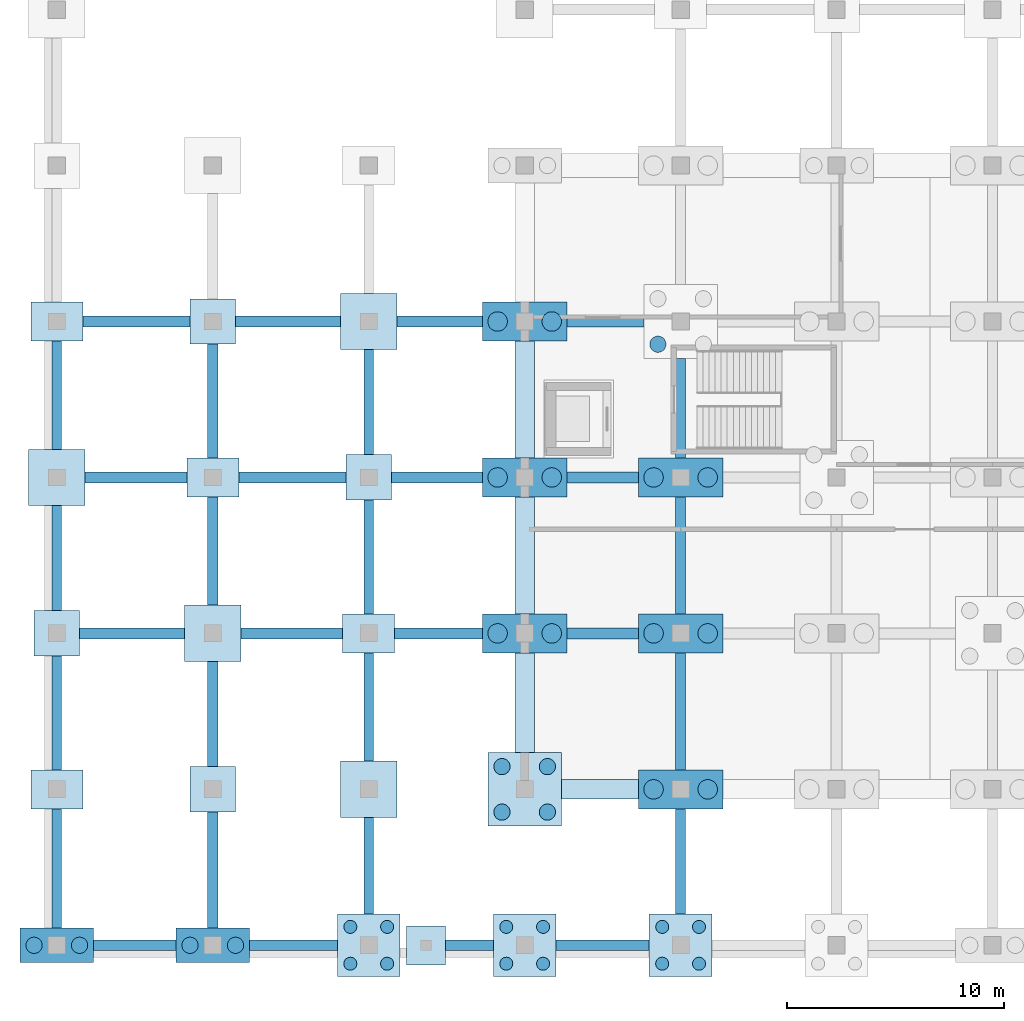
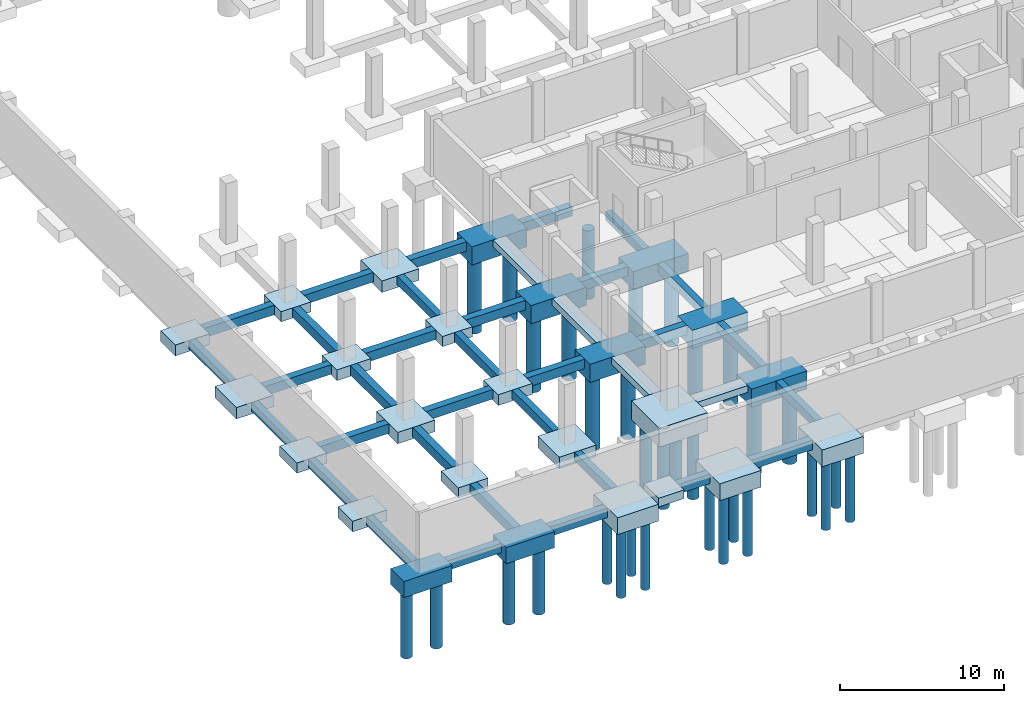
# One storey, part 1 of 22: 61 footings, 33 piles.
"""IFC4 building model written with IfcOpenShell, lengths in metres."""

from ifc_helpers import new_model, si_unit, direction, frame, origin, origin_2d, place, context, subcontext, project, spatial, polyline, rectangle, circle, outline, extrude, material, material_profile, profile_set, type_object, element, save


model = new_model("IFC4")

# Units and contexts
model_context = context("Model", 3, precision=1e-05, world=origin(), true_north=direction((0.0, 1.0)))
body_context = subcontext(model_context, "Body", "Model", "MODEL_VIEW")
ifc_project = project(units=[si_unit("LENGTHUNIT", "METRE"), si_unit("AREAUNIT", "SQUARE_METRE"), si_unit("VOLUMEUNIT", "CUBIC_METRE"), si_unit("PLANEANGLEUNIT", "RADIAN"), si_unit("MASSUNIT", "GRAM", prefix="KILO")], contexts=[model_context])

# Site, building, storey
site_placement = place(None, origin())
site = spatial("IfcSite", under=ifc_project, at=site_placement, CompositionType="ELEMENT")
building_placement = place(site_placement, origin())
building = spatial("IfcBuilding", under=site, at=building_placement, Name="Sardonyx Promenade Sports Hall", CompositionType="ELEMENT")
storey_placement = place(building_placement, frame((0.0, 0.0, -4.5)))
storey = spatial("IfcBuildingStorey", under=building, at=storey_placement, Name="B1", CompositionType="ELEMENT", Elevation=-4.5)

# Footings
ifc_material_1 = material(Name="Concrete C40/50", Category="concrete")
footing_type_1 = type_object("IfcFootingType", Name="Cap_2P_750", PredefinedType="PILE_CAP", material=ifc_material_1)
for number, where, z_axis, x_axis, name in (
    (1, (0.0, 0.0, -1.2001953125), (0.0, 0.0, 1.0), (1.0, 0.0, 0.0), "Pile cap PC02 at (0.00, 0.00)"),
    (2, (7.199951171875, 0.0, -1.2001953125), (0.0, 0.0, 1.0), (1.0, 0.0, 0.0), "Pile cap PC02 at (7.20, 0.00)"),
):
    element("IfcFooting", number, at=place(storey_placement, frame(where, z_axis=z_axis, x_axis=x_axis)), inside=storey, type_object=footing_type_1, Name=name, PredefinedType="PILE_CAP", context=body_context, shape_type="SweptSolid", body=[
        extrude(rectangle(XDim=3.39990234375, YDim=1.60009765625, at=origin_2d()), origin(), (0.0, 0.0, 1.0), 1.199951171875),
    ])
ifc_material_2 = material(Name="Concrete C40/50", Category="concrete")
footing_type_2 = type_object("IfcFootingType", Name="Cap_2P_900", PredefinedType="PILE_CAP", material=ifc_material_2)
for number, where, z_axis, x_axis, name in (
    (3, (21.60009765625, 14.39990234375, -1.35009765625), (0.0, 0.0, 1.0), (1.0, 0.0, 0.0), "Pile cap PC09 at (21.60, 14.40)"),
    (4, (21.60009765625, 21.60009765625, -1.35009765625), (0.0, 0.0, 1.0), (1.0, 0.0, 0.0), "Pile cap PC09 at (21.60, 21.60)"),
    (5, (21.60009765625, 28.800048828125, -1.35009765625), (0.0, 0.0, 1.0), (1.0, 0.0, 0.0), "Pile cap PC09 at (21.60, 28.80)"),
    (6, (28.800048828125, 7.199951171875, -1.35009765625), (0.0, 0.0, 1.0), (1.0, 0.0, 0.0), "Pile cap PC09 at (28.80, 7.20)"),
    (7, (28.800048828125, 14.39990234375, -1.35009765625), (0.0, 0.0, 1.0), (1.0, 0.0, 0.0), "Pile cap PC09 at (28.80, 14.40)"),
    (8, (28.800048828125, 21.60009765625, -1.35009765625), (0.0, 0.0, 1.0), (1.0, 0.0, 0.0), "Pile cap PC09 at (28.80, 21.60)"),
):
    element("IfcFooting", number, at=place(storey_placement, frame(where, z_axis=z_axis, x_axis=x_axis)), inside=storey, type_object=footing_type_2, Name=name, PredefinedType="PILE_CAP", context=body_context, shape_type="SweptSolid", body=[
        extrude(rectangle(XDim=3.89990234375, YDim=1.800048828125, at=origin_2d()), origin(), (0.0, 0.0, 1.0), 1.35009765625),
    ])
ifc_material_3 = material(Name="Concrete C40/50", Category="concrete")
footing_type_3 = type_object("IfcFootingType", Name="Cap_4P_600", PredefinedType="PILE_CAP", material=ifc_material_3)
for number, where, z_axis, x_axis, name in (
    (9, (14.39990234375, 0.0, -1.25), (0.0, 0.0, 1.0), (1.0, 0.0, 0.0), "Pile cap PC01 at (14.40, 0.00)"),
    (10, (21.60009765625, 0.0, -1.25), (0.0, 0.0, 1.0), (1.0, 0.0, 0.0), "Pile cap PC01 at (21.60, 0.00)"),
    (11, (28.800048828125, 0.0, -1.25), (0.0, 0.0, 1.0), (1.0, 0.0, 0.0), "Pile cap PC01 at (28.80, 0.00)"),
):
    element("IfcFooting", number, at=place(storey_placement, frame(where, z_axis=z_axis, x_axis=x_axis)), inside=storey, type_object=footing_type_3, Name=name, PredefinedType="PILE_CAP", context=body_context, shape_type="SweptSolid", body=[
        extrude(rectangle(XDim=2.89990234375, YDim=2.89990234375, at=origin_2d()), origin(), (0.0, 0.0, 1.0), 1.25),
    ])
ifc_material_4 = material(Name="Concrete C40/50", Category="concrete")
footing_type_4 = type_object("IfcFootingType", Name="Cap_4P_750", PredefinedType="PILE_CAP", material=ifc_material_4)
footing_1_placement = place(storey_placement, frame((21.60009765625, 7.199951171875, -1.39990234375), z_axis=(0.0, 0.0, 1.0), x_axis=(1.0, 0.0, 0.0)))
element("IfcFooting", 12, at=footing_1_placement, inside=storey, type_object=footing_type_4, Name="Pile cap PC04 at (21.60, 7.20)", PredefinedType="PILE_CAP", context=body_context, shape_type="SweptSolid", body=[
    extrude(rectangle(XDim=3.39990234375, YDim=3.39990234375, at=origin_2d()), origin(), (0.0, 0.0, 1.0), 1.39990234375),
])
ifc_material_5 = material(Name="Concrete C40/50", Category="concrete")
footing_type_5 = type_object("IfcFootingType", Name="Ftg_Beam_450x650", PredefinedType="FOOTING_BEAM", material=ifc_material_5)
footing_2_placement = place(storey_placement, frame((0.0, 0.0, -0.64990234375)))
element("IfcFooting", 13, at=footing_2_placement, inside=storey, type_object=footing_type_5, Name="Ground tie beam GB03 #220", PredefinedType="FOOTING_BEAM", context=body_context, shape_type="SweptSolid", body=[
    extrude(outline(polyline([(-0.22509765625, 0.800048828125), (0.22509765625, 0.800048828125), (0.22509765625, 6.300048828125), (-0.22509765625, 6.300048828125), (-0.22509765625, 0.800048828125)])), origin(), (0.0, 0.0, 1.0), 0.64990234375),
])
footing_3_placement = place(storey_placement, frame((0.0, 0.0, -0.64990234375)))
element("IfcFooting", 14, at=footing_3_placement, inside=storey, type_object=footing_type_5, Name="Ground tie beam GB03 #221", PredefinedType="FOOTING_BEAM", context=body_context, shape_type="SweptSolid", body=[
    extrude(outline(polyline([(-0.22509765625, 8.10009765625), (0.22509765625, 8.10009765625), (0.22509765625, 13.35009765625), (-0.22509765625, 13.35009765625), (-0.22509765625, 8.10009765625)])), origin(), (0.0, 0.0, 1.0), 0.64990234375),
])
footing_4_placement = place(storey_placement, frame((0.0, 0.0, -0.64990234375)))
element("IfcFooting", 15, at=footing_4_placement, inside=storey, type_object=footing_type_5, Name="Ground tie beam GB03 #222", PredefinedType="FOOTING_BEAM", context=body_context, shape_type="SweptSolid", body=[
    extrude(outline(polyline([(-0.22509765625, 15.449951171875), (0.22509765625, 15.449951171875), (0.22509765625, 20.300048828125), (-0.22509765625, 20.300048828125), (-0.22509765625, 15.449951171875)])), origin(), (0.0, 0.0, 1.0), 0.64990234375),
])
footing_5_placement = place(storey_placement, frame((0.0, 0.0, -0.64990234375)))
element("IfcFooting", 16, at=footing_5_placement, inside=storey, type_object=footing_type_5, Name="Ground tie beam GB03 #223", PredefinedType="FOOTING_BEAM", context=body_context, shape_type="SweptSolid", body=[
    extrude(outline(polyline([(-0.22509765625, 22.89990234375), (0.22509765625, 22.89990234375), (0.22509765625, 27.89990234375), (-0.22509765625, 27.89990234375), (-0.22509765625, 22.89990234375)])), origin(), (0.0, 0.0, 1.0), 0.64990234375),
])
footing_6_placement = place(storey_placement, frame((0.0, 0.0, -0.64990234375)))
element("IfcFooting", 17, at=footing_6_placement, inside=storey, type_object=footing_type_5, Name="Ground tie beam GB03 #242", PredefinedType="FOOTING_BEAM", context=body_context, shape_type="SweptSolid", body=[
    extrude(outline(polyline([(14.175048828125, 1.449951171875), (14.625, 1.449951171875), (14.625, 5.89990234375), (14.175048828125, 5.89990234375), (14.175048828125, 1.449951171875)])), origin(), (0.0, 0.0, 1.0), 0.64990234375),
])
footing_7_placement = place(storey_placement, frame((0.0, 0.0, -0.64990234375)))
element("IfcFooting", 18, at=footing_7_placement, inside=storey, type_object=footing_type_5, Name="Ground tie beam GB03 #243", PredefinedType="FOOTING_BEAM", context=body_context, shape_type="SweptSolid", body=[
    extrude(outline(polyline([(14.175048828125, 8.5), (14.625, 8.5), (14.625, 13.5), (14.175048828125, 13.5), (14.175048828125, 8.5)])), origin(), (0.0, 0.0, 1.0), 0.64990234375),
])
footing_8_placement = place(storey_placement, frame((0.0, 0.0, -0.64990234375)))
element("IfcFooting", 19, at=footing_8_placement, inside=storey, type_object=footing_type_5, Name="Ground tie beam GB03 #244", PredefinedType="FOOTING_BEAM", context=body_context, shape_type="SweptSolid", body=[
    extrude(outline(polyline([(14.175048828125, 15.300048828125), (14.625, 15.300048828125), (14.625, 20.550048828125), (14.175048828125, 20.550048828125), (14.175048828125, 15.300048828125)])), origin(), (0.0, 0.0, 1.0), 0.64990234375),
])
footing_9_placement = place(storey_placement, frame((0.0, 0.0, -0.64990234375)))
element("IfcFooting", 20, at=footing_9_placement, inside=storey, type_object=footing_type_5, Name="Ground tie beam GB03 #245", PredefinedType="FOOTING_BEAM", context=body_context, shape_type="SweptSolid", body=[
    extrude(outline(polyline([(14.175048828125, 22.64990234375), (14.625, 22.64990234375), (14.625, 27.5), (14.175048828125, 27.5), (14.175048828125, 22.64990234375)])), origin(), (0.0, 0.0, 1.0), 0.64990234375),
])
footing_10_placement = place(storey_placement, frame((0.0, 0.0, -0.64990234375)))
element("IfcFooting", 21, at=footing_10_placement, inside=storey, type_object=footing_type_5, Name="Ground tie beam GB03 #251", PredefinedType="FOOTING_BEAM", context=body_context, shape_type="SweptSolid", body=[
    extrude(outline(polyline([(28.574951171875, 1.449951171875), (29.02490234375, 1.449951171875), (29.02490234375, 6.300048828125), (28.574951171875, 6.300048828125), (28.574951171875, 1.449951171875)])), origin(), (0.0, 0.0, 1.0), 0.64990234375),
])
footing_11_placement = place(storey_placement, frame((0.0, 0.0, -0.64990234375)))
element("IfcFooting", 22, at=footing_11_placement, inside=storey, type_object=footing_type_5, Name="Ground tie beam GB03 #252", PredefinedType="FOOTING_BEAM", context=body_context, shape_type="SweptSolid", body=[
    extrude(outline(polyline([(28.574951171875, 8.10009765625), (29.02490234375, 8.10009765625), (29.02490234375, 13.5), (28.574951171875, 13.5), (28.574951171875, 8.10009765625)])), origin(), (0.0, 0.0, 1.0), 0.64990234375),
])
footing_12_placement = place(storey_placement, frame((0.0, 0.0, -0.64990234375)))
element("IfcFooting", 23, at=footing_12_placement, inside=storey, type_object=footing_type_5, Name="Ground tie beam GB03 #253", PredefinedType="FOOTING_BEAM", context=body_context, shape_type="SweptSolid", body=[
    extrude(outline(polyline([(28.574951171875, 15.300048828125), (29.02490234375, 15.300048828125), (29.02490234375, 20.699951171875), (28.574951171875, 20.699951171875), (28.574951171875, 15.300048828125)])), origin(), (0.0, 0.0, 1.0), 0.64990234375),
])
footing_13_placement = place(storey_placement, frame((0.0, 0.0, -0.64990234375)))
element("IfcFooting", 24, at=footing_13_placement, inside=storey, type_object=footing_type_5, Name="Ground tie beam GB03 #254", PredefinedType="FOOTING_BEAM", context=body_context, shape_type="SweptSolid", body=[
    extrude(outline(polyline([(28.574951171875, 22.5), (29.02490234375, 22.5), (29.02490234375, 27.10009765625), (28.574951171875, 27.10009765625), (28.574951171875, 22.5)])), origin(), (0.0, 0.0, 1.0), 0.64990234375),
])
ifc_material_6 = material(Name="Concrete C40/50", Category="concrete")
footing_type_6 = type_object("IfcFootingType", Name="Ftg_Beam_500x700", PredefinedType="FOOTING_BEAM", material=ifc_material_6)
footing_14_placement = place(storey_placement, frame((0.0, 0.0, -0.699951171875)))
element("IfcFooting", 25, at=footing_14_placement, inside=storey, type_object=footing_type_6, Name="Ground tie beam GB01 #1", PredefinedType="FOOTING_BEAM", context=body_context, shape_type="SweptSolid", body=[
    extrude(outline(polyline([(1.699951171875, -0.25), (5.5, -0.25), (5.5, 0.25), (1.699951171875, 0.25), (1.699951171875, -0.25)])), origin(), (0.0, 0.0, 1.0), 0.699951171875),
])
footing_15_placement = place(storey_placement, frame((0.0, 0.0, -0.699951171875)))
element("IfcFooting", 26, at=footing_15_placement, inside=storey, type_object=footing_type_6, Name="Ground tie beam GB01 #2", PredefinedType="FOOTING_BEAM", context=body_context, shape_type="SweptSolid", body=[
    extrude(outline(polyline([(8.89990234375, -0.25), (12.949951171875, -0.25), (12.949951171875, 0.25), (8.89990234375, 0.25), (8.89990234375, -0.25)])), origin(), (0.0, 0.0, 1.0), 0.699951171875),
])
footing_16_placement = place(storey_placement, frame((0.0, 0.0, -0.699951171875)))
element("IfcFooting", 27, at=footing_16_placement, inside=storey, type_object=footing_type_6, Name="Ground tie beam GB01 #3", PredefinedType="FOOTING_BEAM", context=body_context, shape_type="SweptSolid", body=[
    extrude(outline(polyline([(17.949951171875, -0.25), (20.14990234375, -0.25), (20.14990234375, 0.25), (17.949951171875, 0.25), (17.949951171875, -0.25)])), origin(), (0.0, 0.0, 1.0), 0.699951171875),
])
footing_17_placement = place(storey_placement, frame((0.0, 0.0, -0.699951171875)))
element("IfcFooting", 28, at=footing_17_placement, inside=storey, type_object=footing_type_6, Name="Ground tie beam GB01 #4", PredefinedType="FOOTING_BEAM", context=body_context, shape_type="SweptSolid", body=[
    extrude(outline(polyline([(23.050048828125, -0.25), (27.35009765625, -0.25), (27.35009765625, 0.25), (23.050048828125, 0.25), (23.050048828125, -0.25)])), origin(), (0.0, 0.0, 1.0), 0.699951171875),
])
footing_18_placement = place(storey_placement, frame((0.0, 0.0, -0.699951171875)))
element("IfcFooting", 29, at=footing_18_placement, inside=storey, type_object=footing_type_6, Name="Ground tie beam GB01 #24", PredefinedType="FOOTING_BEAM", context=body_context, shape_type="SweptSolid", body=[
    extrude(outline(polyline([(1.050048828125, 14.14990234375), (5.89990234375, 14.14990234375), (5.89990234375, 14.64990234375), (1.050048828125, 14.64990234375), (1.050048828125, 14.14990234375)])), origin(), (0.0, 0.0, 1.0), 0.699951171875),
])
footing_19_placement = place(storey_placement, frame((0.0, 0.0, -0.699951171875)))
element("IfcFooting", 30, at=footing_19_placement, inside=storey, type_object=footing_type_6, Name="Ground tie beam GB01 #25", PredefinedType="FOOTING_BEAM", context=body_context, shape_type="SweptSolid", body=[
    extrude(outline(polyline([(8.5, 14.14990234375), (13.199951171875, 14.14990234375), (13.199951171875, 14.64990234375), (8.5, 14.64990234375), (8.5, 14.14990234375)])), origin(), (0.0, 0.0, 1.0), 0.699951171875),
])
footing_20_placement = place(storey_placement, frame((0.0, 0.0, -0.699951171875)))
element("IfcFooting", 31, at=footing_20_placement, inside=storey, type_object=footing_type_6, Name="Ground tie beam GB01 #26", PredefinedType="FOOTING_BEAM", context=body_context, shape_type="SweptSolid", body=[
    extrude(outline(polyline([(15.60009765625, 14.14990234375), (19.64990234375, 14.14990234375), (19.64990234375, 14.64990234375), (15.60009765625, 14.64990234375), (15.60009765625, 14.14990234375)])), origin(), (0.0, 0.0, 1.0), 0.699951171875),
])
footing_21_placement = place(storey_placement, frame((0.0, 0.0, -0.699951171875)))
element("IfcFooting", 32, at=footing_21_placement, inside=storey, type_object=footing_type_6, Name="Ground tie beam GB01 #27", PredefinedType="FOOTING_BEAM", context=body_context, shape_type="SweptSolid", body=[
    extrude(outline(polyline([(23.550048828125, 14.14990234375), (26.85009765625, 14.14990234375), (26.85009765625, 14.64990234375), (23.550048828125, 14.64990234375), (23.550048828125, 14.14990234375)])), origin(), (0.0, 0.0, 1.0), 0.699951171875),
])
footing_22_placement = place(storey_placement, frame((0.0, 0.0, -0.699951171875)))
element("IfcFooting", 33, at=footing_22_placement, inside=storey, type_object=footing_type_6, Name="Ground tie beam GB01 #47", PredefinedType="FOOTING_BEAM", context=body_context, shape_type="SweptSolid", body=[
    extrude(outline(polyline([(1.300048828125, 21.35009765625), (6.0, 21.35009765625), (6.0, 21.85009765625), (1.300048828125, 21.85009765625), (1.300048828125, 21.35009765625)])), origin(), (0.0, 0.0, 1.0), 0.699951171875),
])
footing_23_placement = place(storey_placement, frame((0.0, 0.0, -0.699951171875)))
element("IfcFooting", 34, at=footing_23_placement, inside=storey, type_object=footing_type_6, Name="Ground tie beam GB01 #48", PredefinedType="FOOTING_BEAM", context=body_context, shape_type="SweptSolid", body=[
    extrude(outline(polyline([(8.39990234375, 21.35009765625), (13.35009765625, 21.35009765625), (13.35009765625, 21.85009765625), (8.39990234375, 21.85009765625), (8.39990234375, 21.35009765625)])), origin(), (0.0, 0.0, 1.0), 0.699951171875),
])
footing_24_placement = place(storey_placement, frame((0.0, 0.0, -0.699951171875)))
element("IfcFooting", 35, at=footing_24_placement, inside=storey, type_object=footing_type_6, Name="Ground tie beam GB01 #49", PredefinedType="FOOTING_BEAM", context=body_context, shape_type="SweptSolid", body=[
    extrude(outline(polyline([(15.449951171875, 21.35009765625), (19.64990234375, 21.35009765625), (19.64990234375, 21.85009765625), (15.449951171875, 21.85009765625), (15.449951171875, 21.35009765625)])), origin(), (0.0, 0.0, 1.0), 0.699951171875),
])
footing_25_placement = place(storey_placement, frame((0.0, 0.0, -0.699951171875)))
element("IfcFooting", 36, at=footing_25_placement, inside=storey, type_object=footing_type_6, Name="Ground tie beam GB01 #50", PredefinedType="FOOTING_BEAM", context=body_context, shape_type="SweptSolid", body=[
    extrude(outline(polyline([(23.550048828125, 21.35009765625), (26.85009765625, 21.35009765625), (26.85009765625, 21.85009765625), (23.550048828125, 21.85009765625), (23.550048828125, 21.35009765625)])), origin(), (0.0, 0.0, 1.0), 0.699951171875),
])
footing_26_placement = place(storey_placement, frame((0.0, 0.0, -0.699951171875)))
element("IfcFooting", 37, at=footing_26_placement, inside=storey, type_object=footing_type_6, Name="Ground tie beam GB01 #70", PredefinedType="FOOTING_BEAM", context=body_context, shape_type="SweptSolid", body=[
    extrude(outline(polyline([(1.199951171875, 28.550048828125), (6.14990234375, 28.550048828125), (6.14990234375, 29.050048828125), (1.199951171875, 29.050048828125), (1.199951171875, 28.550048828125)])), origin(), (0.0, 0.0, 1.0), 0.699951171875),
])
footing_27_placement = place(storey_placement, frame((0.0, 0.0, -0.699951171875)))
element("IfcFooting", 38, at=footing_27_placement, inside=storey, type_object=footing_type_6, Name="Ground tie beam GB01 #71", PredefinedType="FOOTING_BEAM", context=body_context, shape_type="SweptSolid", body=[
    extrude(outline(polyline([(8.25, 28.550048828125), (13.10009765625, 28.550048828125), (13.10009765625, 29.050048828125), (8.25, 29.050048828125), (8.25, 28.550048828125)])), origin(), (0.0, 0.0, 1.0), 0.699951171875),
])
footing_28_placement = place(storey_placement, frame((0.0, 0.0, -0.699951171875)))
element("IfcFooting", 39, at=footing_28_placement, inside=storey, type_object=footing_type_6, Name="Ground tie beam GB01 #72", PredefinedType="FOOTING_BEAM", context=body_context, shape_type="SweptSolid", body=[
    extrude(outline(polyline([(15.699951171875, 28.550048828125), (19.64990234375, 28.550048828125), (19.64990234375, 29.050048828125), (15.699951171875, 29.050048828125), (15.699951171875, 28.550048828125)])), origin(), (0.0, 0.0, 1.0), 0.699951171875),
])
footing_29_placement = place(storey_placement, frame((0.0, 0.0, -0.699951171875)))
element("IfcFooting", 40, at=footing_29_placement, inside=storey, type_object=footing_type_6, Name="Ground tie beam GB01 #73", PredefinedType="FOOTING_BEAM", context=body_context, shape_type="SweptSolid", body=[
    extrude(outline(polyline([(23.550048828125, 28.550048828125), (27.10009765625, 28.550048828125), (27.10009765625, 29.050048828125), (23.550048828125, 29.050048828125), (23.550048828125, 28.550048828125)])), origin(), (0.0, 0.0, 1.0), 0.699951171875),
])
footing_30_placement = place(storey_placement, frame((0.0, 0.0, -0.699951171875)))
element("IfcFooting", 41, at=footing_30_placement, inside=storey, type_object=footing_type_6, Name="Ground tie beam GB01 #233", PredefinedType="FOOTING_BEAM", context=body_context, shape_type="SweptSolid", body=[
    extrude(outline(polyline([(6.949951171875, 0.800048828125), (7.449951171875, 0.800048828125), (7.449951171875, 6.14990234375), (6.949951171875, 6.14990234375), (6.949951171875, 0.800048828125)])), origin(), (0.0, 0.0, 1.0), 0.699951171875),
])
footing_31_placement = place(storey_placement, frame((0.0, 0.0, -0.699951171875)))
element("IfcFooting", 42, at=footing_31_placement, inside=storey, type_object=footing_type_6, Name="Ground tie beam GB01 #234", PredefinedType="FOOTING_BEAM", context=body_context, shape_type="SweptSolid", body=[
    extrude(outline(polyline([(6.949951171875, 8.25), (7.449951171875, 8.25), (7.449951171875, 13.10009765625), (6.949951171875, 13.10009765625), (6.949951171875, 8.25)])), origin(), (0.0, 0.0, 1.0), 0.699951171875),
])
footing_32_placement = place(storey_placement, frame((0.0, 0.0, -0.699951171875)))
element("IfcFooting", 43, at=footing_32_placement, inside=storey, type_object=footing_type_6, Name="Ground tie beam GB01 #235", PredefinedType="FOOTING_BEAM", context=body_context, shape_type="SweptSolid", body=[
    extrude(outline(polyline([(6.949951171875, 15.699951171875), (7.449951171875, 15.699951171875), (7.449951171875, 20.699951171875), (6.949951171875, 20.699951171875), (6.949951171875, 15.699951171875)])), origin(), (0.0, 0.0, 1.0), 0.699951171875),
])
footing_33_placement = place(storey_placement, frame((0.0, 0.0, -0.699951171875)))
element("IfcFooting", 44, at=footing_33_placement, inside=storey, type_object=footing_type_6, Name="Ground tie beam GB01 #236", PredefinedType="FOOTING_BEAM", context=body_context, shape_type="SweptSolid", body=[
    extrude(outline(polyline([(6.949951171875, 22.5), (7.449951171875, 22.5), (7.449951171875, 27.75), (6.949951171875, 27.75), (6.949951171875, 22.5)])), origin(), (0.0, 0.0, 1.0), 0.699951171875),
])
ifc_material_7 = material(Name="Concrete C40/50", Category="concrete")
footing_type_7 = type_object("IfcFootingType", Name="Ftg_Pad_1800", PredefinedType="PAD_FOOTING", material=ifc_material_7)
footing_34_placement = place(storey_placement, frame((17.050048828125, 0.0, -0.64990234375), z_axis=(0.0, 0.0, 1.0), x_axis=(1.0, 0.0, 0.0)))
element("IfcFooting", 45, at=footing_34_placement, inside=storey, type_object=footing_type_7, Name="Pilaster pad footing #1", PredefinedType="PAD_FOOTING", context=body_context, shape_type="SweptSolid", body=[
    extrude(rectangle(XDim=1.800048828125, YDim=1.800048828125, at=origin_2d()), origin(), (0.0, 0.0, 1.0), 0.64990234375),
])
ifc_material_8 = material(Name="Concrete C40/50", Category="concrete")
footing_type_8 = type_object("IfcFootingType", Name="Ftg_Pad_2100", PredefinedType="PAD_FOOTING", material=ifc_material_8)
for number, where, z_axis, x_axis, name in (
    (46, (0.0, 14.39990234375, -0.75), (0.0, 0.0, 1.0), (1.0, 0.0, 0.0), "Rock-bearing pad footing PF02 at (0.00, 14.40)"),
    (47, (7.199951171875, 7.199951171875, -0.75), (0.0, 0.0, 1.0), (1.0, 0.0, 0.0), "Rock-bearing pad footing PF02 at (7.20, 7.20)"),
    (48, (7.199951171875, 28.800048828125, -0.75), (0.0, 0.0, 1.0), (1.0, 0.0, 0.0), "Rock-bearing pad footing PF02 at (7.20, 28.80)"),
    (49, (14.39990234375, 21.60009765625, -0.75), (0.0, 0.0, 1.0), (1.0, 0.0, 0.0), "Rock-bearing pad footing PF02 at (14.40, 21.60)"),
):
    element("IfcFooting", number, at=place(storey_placement, frame(where, z_axis=z_axis, x_axis=x_axis)), inside=storey, type_object=footing_type_8, Name=name, PredefinedType="PAD_FOOTING", context=body_context, shape_type="SweptSolid", body=[
        extrude(rectangle(XDim=2.10009765625, YDim=2.10009765625, at=origin_2d()), origin(), (0.0, 0.0, 1.0), 0.75),
    ])
ifc_material_9 = material(Name="Concrete C40/50", Category="concrete")
footing_type_9 = type_object("IfcFootingType", Name="Ftg_Pad_2400x1800", PredefinedType="PAD_FOOTING", material=ifc_material_9)
for number, where, z_axis, x_axis, name in (
    (50, (0.0, 7.199951171875, -0.7998046875), (0.0, 0.0, 1.0), (1.0, 0.0, 0.0), "Rock-bearing pad footing PF03 at (0.00, 7.20)"),
    (51, (0.0, 28.800048828125, -0.7998046875), (0.0, 0.0, 1.0), (1.0, 0.0, 0.0), "Rock-bearing pad footing PF03 at (0.00, 28.80)"),
    (52, (7.199951171875, 21.60009765625, -0.7998046875), (0.0, 0.0, 1.0), (1.0, 0.0, 0.0), "Rock-bearing pad footing PF03 at (7.20, 21.60)"),
    (53, (14.39990234375, 14.39990234375, -0.7998046875), (0.0, 0.0, 1.0), (1.0, 0.0, 0.0), "Rock-bearing pad footing PF03 at (14.40, 14.40)"),
):
    element("IfcFooting", number, at=place(storey_placement, frame(where, z_axis=z_axis, x_axis=x_axis)), inside=storey, type_object=footing_type_9, Name=name, PredefinedType="PAD_FOOTING", context=body_context, shape_type="SweptSolid", body=[
        extrude(rectangle(XDim=2.39990234375, YDim=1.800048828125, at=origin_2d()), origin(), (0.0, 0.0, 1.0), 0.800048828125),
    ])
ifc_material_10 = material(Name="Concrete C40/50", Category="concrete")
footing_type_10 = type_object("IfcFootingType", Name="Ftg_Pad_2600", PredefinedType="PAD_FOOTING", material=ifc_material_10)
for number, where, z_axis, x_axis, name in (
    (54, (0.0, 21.60009765625, -0.85009765625), (0.0, 0.0, 1.0), (1.0, 0.0, 0.0), "Rock-bearing pad footing PF04 at (0.00, 21.60)"),
    (55, (7.199951171875, 14.39990234375, -0.85009765625), (0.0, 0.0, 1.0), (1.0, 0.0, 0.0), "Rock-bearing pad footing PF04 at (7.20, 14.40)"),
    (56, (14.39990234375, 7.199951171875, -0.85009765625), (0.0, 0.0, 1.0), (1.0, 0.0, 0.0), "Rock-bearing pad footing PF04 at (14.40, 7.20)"),
    (57, (14.39990234375, 28.800048828125, -0.85009765625), (0.0, 0.0, 1.0), (1.0, 0.0, 0.0), "Rock-bearing pad footing PF04 at (14.40, 28.80)"),
):
    element("IfcFooting", number, at=place(storey_placement, frame(where, z_axis=z_axis, x_axis=x_axis)), inside=storey, type_object=footing_type_10, Name=name, PredefinedType="PAD_FOOTING", context=body_context, shape_type="SweptSolid", body=[
        extrude(rectangle(XDim=2.60009765625, YDim=2.60009765625, at=origin_2d()), origin(), (0.0, 0.0, 1.0), 0.85009765625),
    ])
ifc_material_11 = material(Name="Concrete C40/50", Category="concrete")
footing_type_11 = type_object("IfcFootingType", Name="Ftg_Strip_900x500", PredefinedType="STRIP_FOOTING", material=ifc_material_11)
footing_35_placement = place(storey_placement, frame((0.0, 0.0, -0.5)))
element("IfcFooting", 58, at=footing_35_placement, inside=storey, type_object=footing_type_11, Name="Basement wall strip footing SF01 #1", PredefinedType="STRIP_FOOTING", context=body_context, shape_type="SweptSolid", body=[
    extrude(outline(polyline([(23.300048828125, 6.75), (26.85009765625, 6.75), (26.85009765625, 7.64990234375), (23.300048828125, 7.64990234375), (23.300048828125, 6.75)])), origin(), (0.0, 0.0, 1.0), 0.5),
])
footing_36_placement = place(storey_placement, frame((0.0, 0.0, -0.5)))
element("IfcFooting", 59, at=footing_36_placement, inside=storey, type_object=footing_type_11, Name="Basement wall strip footing SF01 #27", PredefinedType="STRIP_FOOTING", context=body_context, shape_type="SweptSolid", body=[
    extrude(outline(polyline([(21.14990234375, 8.89990234375), (22.050048828125, 8.89990234375), (22.050048828125, 13.5), (21.14990234375, 13.5), (21.14990234375, 8.89990234375)])), origin(), (0.0, 0.0, 1.0), 0.5),
])
footing_37_placement = place(storey_placement, frame((0.0, 0.0, -0.5)))
element("IfcFooting", 60, at=footing_37_placement, inside=storey, type_object=footing_type_11, Name="Basement wall strip footing SF01 #28", PredefinedType="STRIP_FOOTING", context=body_context, shape_type="SweptSolid", body=[
    extrude(outline(polyline([(21.14990234375, 15.300048828125), (22.050048828125, 15.300048828125), (22.050048828125, 20.699951171875), (21.14990234375, 20.699951171875), (21.14990234375, 15.300048828125)])), origin(), (0.0, 0.0, 1.0), 0.5),
])
footing_38_placement = place(storey_placement, frame((0.0, 0.0, -0.5)))
element("IfcFooting", 61, at=footing_38_placement, inside=storey, type_object=footing_type_11, Name="Basement wall strip footing SF01 #29", PredefinedType="STRIP_FOOTING", context=body_context, shape_type="SweptSolid", body=[
    extrude(outline(polyline([(21.14990234375, 22.5), (22.050048828125, 22.5), (22.050048828125, 27.89990234375), (21.14990234375, 27.89990234375), (21.14990234375, 22.5)])), origin(), (0.0, 0.0, 1.0), 0.5),
])

# Piles
ifc_material_12 = material(Name="Concrete C40/50", Category="concrete")
ifc_material_profile_1 = material_profile(ifc_material_12, circle(Radius=0.300048828125, at=origin_2d()))
ifc_profile_set_1 = profile_set([ifc_material_profile_1], Name="Concrete C40/50")
pile_type_1 = type_object("IfcPileType", Name="Pile_BP600", PredefinedType="BORED", material=ifc_profile_set_1)
for number, where, z_axis, x_axis, name in (
    (62, (13.550048828125, -0.85009765625, -1.14990234375), (0.0, 0.0, -1.0), (1.0, 0.0, 0.0), "Bored pile BP04 #1 under ftg:cap:14.400_0.000"),
    (63, (15.25, -0.85009765625, -1.14990234375), (0.0, 0.0, -1.0), (1.0, 0.0, 0.0), "Bored pile BP04 #2 under ftg:cap:14.400_0.000"),
    (64, (13.550048828125, 0.85009765625, -1.14990234375), (0.0, 0.0, -1.0), (1.0, 0.0, 0.0), "Bored pile BP04 #3 under ftg:cap:14.400_0.000"),
    (65, (15.25, 0.85009765625, -1.14990234375), (0.0, 0.0, -1.0), (1.0, 0.0, 0.0), "Bored pile BP04 #4 under ftg:cap:14.400_0.000"),
    (66, (20.75, -0.85009765625, -1.14990234375), (0.0, 0.0, -1.0), (1.0, 0.0, 0.0), "Bored pile BP04 #1 under ftg:cap:21.600_0.000"),
    (67, (22.449951171875, -0.85009765625, -1.14990234375), (0.0, 0.0, -1.0), (1.0, 0.0, 0.0), "Bored pile BP04 #2 under ftg:cap:21.600_0.000"),
    (68, (20.75, 0.85009765625, -1.14990234375), (0.0, 0.0, -1.0), (1.0, 0.0, 0.0), "Bored pile BP04 #3 under ftg:cap:21.600_0.000"),
    (69, (22.449951171875, 0.85009765625, -1.14990234375), (0.0, 0.0, -1.0), (1.0, 0.0, 0.0), "Bored pile BP04 #4 under ftg:cap:21.600_0.000"),
    (70, (27.949951171875, -0.85009765625, -1.14990234375), (0.0, 0.0, -1.0), (1.0, 0.0, 0.0), "Bored pile BP04 #1 under ftg:cap:28.800_0.000"),
    (71, (29.64990234375, -0.85009765625, -1.14990234375), (0.0, 0.0, -1.0), (1.0, 0.0, 0.0), "Bored pile BP04 #2 under ftg:cap:28.800_0.000"),
    (72, (27.949951171875, 0.85009765625, -1.14990234375), (0.0, 0.0, -1.0), (1.0, 0.0, 0.0), "Bored pile BP04 #3 under ftg:cap:28.800_0.000"),
    (73, (29.64990234375, 0.85009765625, -1.14990234375), (0.0, 0.0, -1.0), (1.0, 0.0, 0.0), "Bored pile BP04 #4 under ftg:cap:28.800_0.000"),
):
    element("IfcPile", number, at=place(storey_placement, frame(where, z_axis=z_axis, x_axis=x_axis)), inside=storey, type_object=pile_type_1, Name=name, PredefinedType="BORED", context=body_context, shape_type="SweptSolid", body=[
        extrude(circle(Radius=0.300048828125, at=origin_2d()), origin(), (0.0, 0.0, 1.0), 5.199951171875),
    ])
ifc_material_13 = material(Name="Concrete C40/50", Category="concrete")
ifc_material_profile_2 = material_profile(ifc_material_13, circle(Radius=0.375, at=origin_2d()))
ifc_profile_set_2 = profile_set([ifc_material_profile_2], Name="Concrete C40/50")
pile_type_2 = type_object("IfcPileType", Name="Pile_BP750", PredefinedType="BORED", material=ifc_profile_set_2)
for number, where, z_axis, x_axis, name in (
    (74, (-1.050048828125, 0.0, -1.10009765625), (0.0, 0.0, -1.0), (1.0, 0.0, 0.0), "Bored pile BP02 #1 under ftg:cap:0.000_0.000"),
    (75, (1.050048828125, 0.0, -1.10009765625), (0.0, 0.0, -1.0), (1.0, 0.0, 0.0), "Bored pile BP02 #2 under ftg:cap:0.000_0.000"),
    (76, (6.14990234375, 0.0, -1.10009765625), (0.0, 0.0, -1.0), (1.0, 0.0, 0.0), "Bored pile BP02 #1 under ftg:cap:7.200_0.000"),
    (77, (8.25, 0.0, -1.10009765625), (0.0, 0.0, -1.0), (1.0, 0.0, 0.0), "Bored pile BP02 #2 under ftg:cap:7.200_0.000"),
    (78, (20.550048828125, 6.14990234375, -1.300048828125), (0.0, 0.0, -1.0), (1.0, 0.0, 0.0), "Bored pile BP02 #1 under ftg:cap:21.600_7.200"),
    (79, (22.64990234375, 6.14990234375, -1.300048828125), (0.0, 0.0, -1.0), (1.0, 0.0, 0.0), "Bored pile BP02 #2 under ftg:cap:21.600_7.200"),
    (80, (20.550048828125, 8.25, -1.300048828125), (0.0, 0.0, -1.0), (1.0, 0.0, 0.0), "Bored pile BP02 #3 under ftg:cap:21.600_7.200"),
    (81, (22.64990234375, 8.25, -1.300048828125), (0.0, 0.0, -1.0), (1.0, 0.0, 0.0), "Bored pile BP02 #4 under ftg:cap:21.600_7.200"),
    (82, (27.75, 27.75, -1.300048828125), (0.0, 0.0, -1.0), (1.0, 0.0, 0.0), "Bored pile BP02 #1 under ftg:cap:28.800_28.800"),
):
    element("IfcPile", number, at=place(storey_placement, frame(where, z_axis=z_axis, x_axis=x_axis)), inside=storey, type_object=pile_type_2, Name=name, PredefinedType="BORED", context=body_context, shape_type="SweptSolid", body=[
        extrude(circle(Radius=0.375, at=origin_2d()), origin(), (0.0, 0.0, 1.0), 5.10009765625),
    ])
ifc_material_14 = material(Name="Concrete C40/50", Category="concrete")
ifc_material_profile_3 = material_profile(ifc_material_14, circle(Radius=0.449951171875, at=origin_2d()))
ifc_profile_set_3 = profile_set([ifc_material_profile_3], Name="Concrete C40/50")
pile_type_3 = type_object("IfcPileType", Name="Pile_BP900", PredefinedType="BORED", material=ifc_profile_set_3)
for number, where, z_axis, x_axis, name in (
    (83, (20.35009765625, 14.39990234375, -1.25), (0.0, 0.0, -1.0), (1.0, 0.0, 0.0), "Bored pile BP05 #1 under ftg:cap:21.600_14.400"),
    (84, (22.85009765625, 14.39990234375, -1.25), (0.0, 0.0, -1.0), (1.0, 0.0, 0.0), "Bored pile BP05 #2 under ftg:cap:21.600_14.400"),
    (85, (20.35009765625, 21.60009765625, -1.25), (0.0, 0.0, -1.0), (1.0, 0.0, 0.0), "Bored pile BP05 #1 under ftg:cap:21.600_21.600"),
    (86, (22.85009765625, 21.60009765625, -1.25), (0.0, 0.0, -1.0), (1.0, 0.0, 0.0), "Bored pile BP05 #2 under ftg:cap:21.600_21.600"),
    (87, (20.35009765625, 28.800048828125, -1.25), (0.0, 0.0, -1.0), (1.0, 0.0, 0.0), "Bored pile BP05 #1 under ftg:cap:21.600_28.800"),
    (88, (22.85009765625, 28.800048828125, -1.25), (0.0, 0.0, -1.0), (1.0, 0.0, 0.0), "Bored pile BP05 #2 under ftg:cap:21.600_28.800"),
    (89, (27.550048828125, 7.199951171875, -1.25), (0.0, 0.0, -1.0), (1.0, 0.0, 0.0), "Bored pile BP05 #1 under ftg:cap:28.800_7.200"),
    (90, (30.050048828125, 7.199951171875, -1.25), (0.0, 0.0, -1.0), (1.0, 0.0, 0.0), "Bored pile BP05 #2 under ftg:cap:28.800_7.200"),
    (91, (27.550048828125, 14.39990234375, -1.25), (0.0, 0.0, -1.0), (1.0, 0.0, 0.0), "Bored pile BP05 #1 under ftg:cap:28.800_14.400"),
    (92, (30.050048828125, 14.39990234375, -1.25), (0.0, 0.0, -1.0), (1.0, 0.0, 0.0), "Bored pile BP05 #2 under ftg:cap:28.800_14.400"),
    (93, (27.550048828125, 21.60009765625, -1.25), (0.0, 0.0, -1.0), (1.0, 0.0, 0.0), "Bored pile BP05 #1 under ftg:cap:28.800_21.600"),
    (94, (30.050048828125, 21.60009765625, -1.25), (0.0, 0.0, -1.0), (1.0, 0.0, 0.0), "Bored pile BP05 #2 under ftg:cap:28.800_21.600"),
):
    element("IfcPile", number, at=place(storey_placement, frame(where, z_axis=z_axis, x_axis=x_axis)), inside=storey, type_object=pile_type_3, Name=name, PredefinedType="BORED", context=body_context, shape_type="SweptSolid", body=[
        extrude(circle(Radius=0.449951171875, at=origin_2d()), origin(), (0.0, 0.0, 1.0), 5.699951171875),
    ])

save(model, "model.ifc")
